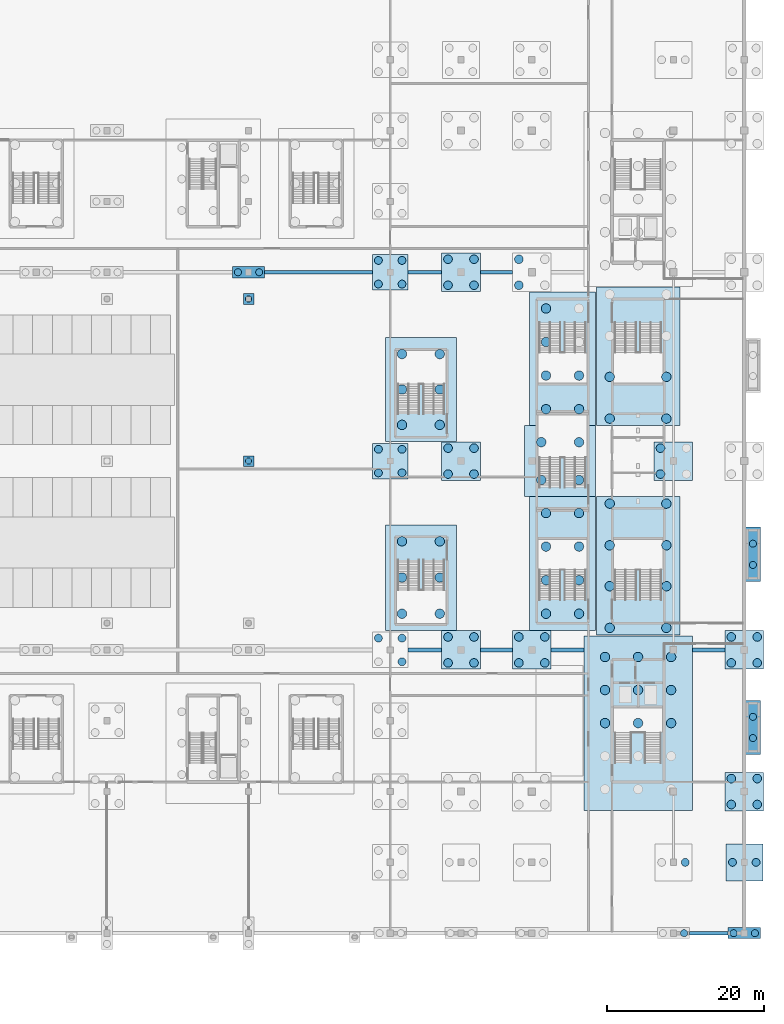
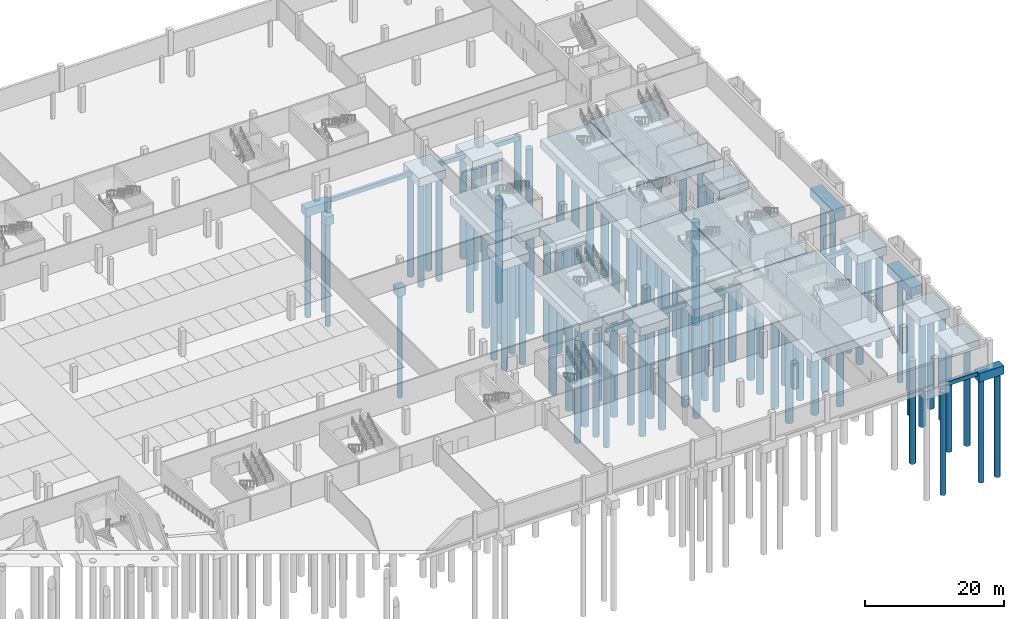
# One storey, part 6 of 46: 104 piles, 32 footings.
"""IFC4 building model written with IfcOpenShell, lengths in metres."""

from ifc_helpers import new_model, si_unit, direction, frame, origin, origin_2d, place, context, subcontext, project, spatial, polyline, circle, outline, extrude, material, material_profile, profile_set, type_object, element, save


model = new_model("IFC4")

# Units and contexts
model_context = context("Model", 3, precision=1e-05, world=origin(), true_north=direction((0.0, 1.0)))
body_context = subcontext(model_context, "Body", "Model", "MODEL_VIEW")
ifc_project = project(units=[si_unit("LENGTHUNIT", "METRE"), si_unit("AREAUNIT", "SQUARE_METRE"), si_unit("VOLUMEUNIT", "CUBIC_METRE"), si_unit("PLANEANGLEUNIT", "RADIAN"), si_unit("MASSUNIT", "GRAM", prefix="KILO")], contexts=[model_context])

# Site, building, storey
site_placement = place(None, origin())
site = spatial("IfcSite", under=ifc_project, at=site_placement, CompositionType="ELEMENT")
building_placement = place(site_placement, origin())
building = spatial("IfcBuilding", under=site, at=building_placement, Name="Kisiwana Market Hall", CompositionType="ELEMENT")
storey_placement = place(building_placement, frame((0.0, 0.0, -4.5)))
storey = spatial("IfcBuildingStorey", under=building, at=storey_placement, Name="B1", CompositionType="ELEMENT", Elevation=-4.5)

# Footings
ifc_material_1 = material(Name="Concrete C40/50", Category="concrete")
footing_type_1 = type_object("IfcFootingType", Name="FB-TIE-450x700", PredefinedType="FOOTING_BEAM", material=ifc_material_1)
footing_1_placement = place(storey_placement, frame((0.0, 0.0, -1.14990234375)))
element("IfcFooting", 1, at=footing_1_placement, inside=storey, type_object=footing_type_1, Name="Ground tie beam F-219", PredefinedType="FOOTING_BEAM", context=body_context, shape_type="SweptSolid", body=[
    extrude(outline(polyline([(191.050048828125, -0.22509765625), (195.949951171875, -0.22509765625), (195.949951171875, 0.22509765625), (191.050048828125, 0.22509765625), (191.050048828125, -0.22509765625)])), origin(), (0.0, 0.0, 1.0), 0.699951171875),
])
ifc_material_2 = material(Name="Concrete C40/50", Category="concrete")
footing_type_2 = type_object("IfcFootingType", Name="FB-TIE-500x750", PredefinedType="FOOTING_BEAM", material=ifc_material_2)
footing_2_placement = place(storey_placement, frame((0.0, 0.0, -1.199951171875)))
element("IfcFooting", 2, at=footing_2_placement, inside=storey, type_object=footing_type_2, Name="Ground tie beam F-232", PredefinedType="FOOTING_BEAM", context=body_context, shape_type="SweptSolid", body=[
    extrude(outline(polyline([(155.25, 35.75), (159.550048828125, 35.75), (159.550048828125, 36.25), (155.25, 36.25), (155.25, 35.75)])), origin(), (0.0, 0.0, 1.0), 0.75),
])
footing_3_placement = place(storey_placement, frame((0.0, 0.0, -1.199951171875)))
element("IfcFooting", 3, at=footing_3_placement, inside=storey, type_object=footing_type_2, Name="Ground tie beam F-233", PredefinedType="FOOTING_BEAM", context=body_context, shape_type="SweptSolid", body=[
    extrude(outline(polyline([(164.449951171875, 35.75), (168.550048828125, 35.75), (168.550048828125, 36.25), (164.449951171875, 36.25), (164.449951171875, 35.75)])), origin(), (0.0, 0.0, 1.0), 0.75),
])
footing_4_placement = place(storey_placement, frame((0.0, 0.0, -1.199951171875)))
element("IfcFooting", 4, at=footing_4_placement, inside=storey, type_object=footing_type_2, Name="Ground tie beam F-234", PredefinedType="FOOTING_BEAM", context=body_context, shape_type="SweptSolid", body=[
    extrude(outline(polyline([(173.449951171875, 35.75), (177.60009765625, 35.75), (177.60009765625, 36.25), (173.449951171875, 36.25), (173.449951171875, 35.75)])), origin(), (0.0, 0.0, 1.0), 0.75),
])
footing_5_placement = place(storey_placement, frame((0.0, 0.0, -1.199951171875)))
element("IfcFooting", 5, at=footing_5_placement, inside=storey, type_object=footing_type_2, Name="Ground tie beam F-235", PredefinedType="FOOTING_BEAM", context=body_context, shape_type="SweptSolid", body=[
    extrude(outline(polyline([(191.39990234375, 35.75), (195.550048828125, 35.75), (195.550048828125, 36.25), (191.39990234375, 36.25), (191.39990234375, 35.75)])), origin(), (0.0, 0.0, 1.0), 0.75),
])
footing_6_placement = place(storey_placement, frame((0.0, 0.0, -1.199951171875)))
element("IfcFooting", 6, at=footing_6_placement, inside=storey, type_object=footing_type_2, Name="Ground tie beam F-247", PredefinedType="FOOTING_BEAM", context=body_context, shape_type="SweptSolid", body=[
    extrude(outline(polyline([(137.050048828125, 83.75), (150.75, 83.75), (150.75, 84.25), (137.050048828125, 84.25), (137.050048828125, 83.75)])), origin(), (0.0, 0.0, 1.0), 0.75),
])
footing_7_placement = place(storey_placement, frame((0.0, 0.0, -1.199951171875)))
element("IfcFooting", 7, at=footing_7_placement, inside=storey, type_object=footing_type_2, Name="Ground tie beam F-248", PredefinedType="FOOTING_BEAM", context=body_context, shape_type="SweptSolid", body=[
    extrude(outline(polyline([(155.25, 83.75), (159.550048828125, 83.75), (159.550048828125, 84.25), (155.25, 84.25), (155.25, 83.75)])), origin(), (0.0, 0.0, 1.0), 0.75),
])
footing_8_placement = place(storey_placement, frame((0.0, 0.0, -1.199951171875)))
element("IfcFooting", 8, at=footing_8_placement, inside=storey, type_object=footing_type_2, Name="Ground tie beam F-249", PredefinedType="FOOTING_BEAM", context=body_context, shape_type="SweptSolid", body=[
    extrude(outline(polyline([(164.449951171875, 83.75), (168.550048828125, 83.75), (168.550048828125, 84.25), (164.449951171875, 84.25), (164.449951171875, 83.75)])), origin(), (0.0, 0.0, 1.0), 0.75),
])
ifc_material_3 = material(Name="Concrete C40/50", Category="concrete")
footing_type_3 = type_object("IfcFootingType", Name="PC-1P-800", PredefinedType="PILE_CAP", material=ifc_material_3)
footing_9_placement = place(storey_placement, frame((0.0, 0.0, -1.949951171875)))
element("IfcFooting", 9, at=footing_9_placement, inside=storey, type_object=footing_type_3, Name="Pile cap F-089 at H/16", PredefinedType="PILE_CAP", context=body_context, shape_type="SweptSolid", body=[
    extrude(outline(polyline([(134.324951171875, 59.324951171875), (135.675048828125, 59.324951171875), (135.675048828125, 60.675048828125), (134.324951171875, 60.675048828125), (134.324951171875, 59.324951171875)])), origin(), (0.0, 0.0, 1.0), 1.5),
])
footing_10_placement = place(storey_placement, frame((0.0, 0.0, -1.949951171875)))
element("IfcFooting", 10, at=footing_10_placement, inside=storey, type_object=footing_type_3, Name="Gallery post cap F-159", PredefinedType="PILE_CAP", context=body_context, shape_type="SweptSolid", body=[
    extrude(outline(polyline([(134.324951171875, 79.925048828125), (135.675048828125, 79.925048828125), (135.675048828125, 81.27490234375), (134.324951171875, 81.27490234375), (134.324951171875, 79.925048828125)])), origin(), (0.0, 0.0, 1.0), 1.5),
])
ifc_material_4 = material(Name="Concrete C40/50", Category="concrete")
footing_type_4 = type_object("IfcFootingType", Name="PC-2P-900", PredefinedType="PILE_CAP", material=ifc_material_4)
footing_11_placement = place(storey_placement, frame((0.0, 0.0, -1.949951171875)))
element("IfcFooting", 11, at=footing_11_placement, inside=storey, type_object=footing_type_4, Name="Pile cap F-090 at L/16", PredefinedType="PILE_CAP", context=body_context, shape_type="SweptSolid", body=[
    extrude(outline(polyline([(132.949951171875, 83.300048828125), (137.050048828125, 83.300048828125), (137.050048828125, 84.699951171875), (132.949951171875, 84.699951171875), (132.949951171875, 83.300048828125)])), origin(), (0.0, 0.0, 1.0), 1.5),
])
footing_12_placement = place(storey_placement, frame((0.0, 0.0, -1.949951171875)))
element("IfcFooting", 12, at=footing_12_placement, inside=storey, type_object=footing_type_4, Name="Pile cap F-128 at A/23", PredefinedType="PILE_CAP", context=body_context, shape_type="SweptSolid", body=[
    extrude(outline(polyline([(195.949951171875, -0.699951171875), (200.050048828125, -0.699951171875), (200.050048828125, 0.699951171875), (195.949951171875, 0.699951171875), (195.949951171875, -0.699951171875)])), origin(), (0.0, 0.0, 1.0), 1.5),
])
ifc_material_5 = material(Name="Concrete C40/50", Category="concrete")
footing_type_5 = type_object("IfcFootingType", Name="PC-2P-900V", PredefinedType="PILE_CAP", material=ifc_material_5)
footing_13_placement = place(storey_placement, frame((0.0, 0.0, -1.949951171875)))
element("IfcFooting", 13, at=footing_13_placement, inside=storey, type_object=footing_type_5, Name="Ramp foundation cap F-197", PredefinedType="PILE_CAP", context=body_context, shape_type="SweptSolid", body=[
    extrude(outline(polyline([(198.14990234375, 22.699951171875), (200.050048828125, 22.699951171875), (200.050048828125, 29.60009765625), (198.14990234375, 29.60009765625), (198.14990234375, 22.699951171875)])), origin(), (0.0, 0.0, 1.0), 1.5),
])
footing_14_placement = place(storey_placement, frame((0.0, 0.0, -1.949951171875)))
element("IfcFooting", 14, at=footing_14_placement, inside=storey, type_object=footing_type_5, Name="Ramp foundation cap F-198", PredefinedType="PILE_CAP", context=body_context, shape_type="SweptSolid", body=[
    extrude(outline(polyline([(198.14990234375, 44.699951171875), (200.050048828125, 44.699951171875), (200.050048828125, 51.60009765625), (198.14990234375, 51.60009765625), (198.14990234375, 44.699951171875)])), origin(), (0.0, 0.0, 1.0), 1.5),
])
ifc_material_6 = material(Name="Concrete C40/50", Category="concrete")
footing_type_6 = type_object("IfcFootingType", Name="PC-4P-1000", PredefinedType="PILE_CAP", material=ifc_material_6)
footing_15_placement = place(storey_placement, frame((0.0, 0.0, -1.949951171875)))
element("IfcFooting", 15, at=footing_15_placement, inside=storey, type_object=footing_type_6, Name="Pile cap F-098 at H/18", PredefinedType="PILE_CAP", context=body_context, shape_type="SweptSolid", body=[
    extrude(outline(polyline([(150.75, 57.75), (155.25, 57.75), (155.25, 62.25), (150.75, 62.25), (150.75, 57.75)])), origin(), (0.0, 0.0, 1.0), 1.5),
])
footing_16_placement = place(storey_placement, frame((0.0, 0.0, -1.949951171875)))
element("IfcFooting", 16, at=footing_16_placement, inside=storey, type_object=footing_type_6, Name="Pile cap F-099 at L/18", PredefinedType="PILE_CAP", context=body_context, shape_type="SweptSolid", body=[
    extrude(outline(polyline([(150.75, 81.75), (155.25, 81.75), (155.25, 86.25), (150.75, 86.25), (150.75, 81.75)])), origin(), (0.0, 0.0, 1.0), 1.5),
])
ifc_material_7 = material(Name="Concrete C40/50", Category="concrete")
footing_type_7 = type_object("IfcFootingType", Name="PC-4P-1050", PredefinedType="PILE_CAP", material=ifc_material_7)
footing_17_placement = place(storey_placement, frame((0.0, 0.0, -1.949951171875)))
element("IfcFooting", 17, at=footing_17_placement, inside=storey, type_object=footing_type_7, Name="Pile cap F-129 at B/23", PredefinedType="PILE_CAP", context=body_context, shape_type="SweptSolid", body=[
    extrude(outline(polyline([(195.64990234375, 6.64990234375), (200.35009765625, 6.64990234375), (200.35009765625, 11.35009765625), (195.64990234375, 11.35009765625), (195.64990234375, 6.64990234375)])), origin(), (0.0, 0.0, 1.0), 1.5),
])
ifc_material_8 = material(Name="Concrete C40/50", Category="concrete")
footing_type_8 = type_object("IfcFootingType", Name="PC-4P-1100", PredefinedType="PILE_CAP", material=ifc_material_8)
footing_18_placement = place(storey_placement, frame((0.0, 0.0, -1.949951171875)))
element("IfcFooting", 18, at=footing_18_placement, inside=storey, type_object=footing_type_8, Name="Pile cap F-108 at E/19", PredefinedType="PILE_CAP", context=body_context, shape_type="SweptSolid", body=[
    extrude(outline(polyline([(159.550048828125, 33.550048828125), (164.449951171875, 33.550048828125), (164.449951171875, 38.449951171875), (159.550048828125, 38.449951171875), (159.550048828125, 33.550048828125)])), origin(), (0.0, 0.0, 1.0), 1.5),
])
footing_19_placement = place(storey_placement, frame((0.0, 0.0, -1.949951171875)))
element("IfcFooting", 19, at=footing_19_placement, inside=storey, type_object=footing_type_8, Name="Pile cap F-109 at L/19", PredefinedType="PILE_CAP", context=body_context, shape_type="SweptSolid", body=[
    extrude(outline(polyline([(159.550048828125, 81.550048828125), (164.449951171875, 81.550048828125), (164.449951171875, 86.449951171875), (159.550048828125, 86.449951171875), (159.550048828125, 81.550048828125)])), origin(), (0.0, 0.0, 1.0), 1.5),
])
footing_20_placement = place(storey_placement, frame((0.0, 0.0, -1.949951171875)))
element("IfcFooting", 20, at=footing_20_placement, inside=storey, type_object=footing_type_8, Name="Pile cap F-117 at E/20", PredefinedType="PILE_CAP", context=body_context, shape_type="SweptSolid", body=[
    extrude(outline(polyline([(168.550048828125, 33.550048828125), (173.449951171875, 33.550048828125), (173.449951171875, 38.449951171875), (168.550048828125, 38.449951171875), (168.550048828125, 33.550048828125)])), origin(), (0.0, 0.0, 1.0), 1.5),
])
footing_21_placement = place(storey_placement, frame((0.0, 0.0, -1.949951171875)))
element("IfcFooting", 21, at=footing_21_placement, inside=storey, type_object=footing_type_8, Name="Pile cap F-130 at C/23", PredefinedType="PILE_CAP", context=body_context, shape_type="SweptSolid", body=[
    extrude(outline(polyline([(195.550048828125, 15.550048828125), (200.449951171875, 15.550048828125), (200.449951171875, 20.449951171875), (195.550048828125, 20.449951171875), (195.550048828125, 15.550048828125)])), origin(), (0.0, 0.0, 1.0), 1.5),
])
footing_22_placement = place(storey_placement, frame((0.0, 0.0, -1.949951171875)))
element("IfcFooting", 22, at=footing_22_placement, inside=storey, type_object=footing_type_8, Name="Pile cap F-131 at E/23", PredefinedType="PILE_CAP", context=body_context, shape_type="SweptSolid", body=[
    extrude(outline(polyline([(195.550048828125, 33.550048828125), (200.449951171875, 33.550048828125), (200.449951171875, 38.449951171875), (195.550048828125, 38.449951171875), (195.550048828125, 33.550048828125)])), origin(), (0.0, 0.0, 1.0), 1.5),
])
footing_23_placement = place(storey_placement, frame((0.0, 0.0, -1.949951171875)))
element("IfcFooting", 23, at=footing_23_placement, inside=storey, type_object=footing_type_8, Name="Pile cap F-162 at H/19", PredefinedType="PILE_CAP", context=body_context, shape_type="SweptSolid", body=[
    extrude(outline(polyline([(159.550048828125, 57.550048828125), (164.449951171875, 57.550048828125), (164.449951171875, 62.449951171875), (159.550048828125, 62.449951171875), (159.550048828125, 57.550048828125)])), origin(), (0.0, 0.0, 1.0), 1.5),
])
footing_24_placement = place(storey_placement, frame((0.0, 0.0, -1.949951171875)))
element("IfcFooting", 24, at=footing_24_placement, inside=storey, type_object=footing_type_8, Name="Pile cap F-163 at H/22", PredefinedType="PILE_CAP", context=body_context, shape_type="SweptSolid", body=[
    extrude(outline(polyline([(186.550048828125, 57.550048828125), (191.449951171875, 57.550048828125), (191.449951171875, 62.449951171875), (186.550048828125, 62.449951171875), (186.550048828125, 57.550048828125)])), origin(), (0.0, 0.0, 1.0), 1.5),
])
ifc_material_9 = material(Name="Concrete C40/50", Category="concrete")
footing_type_9 = type_object("IfcFootingType", Name="PC-ESC-RAFT", PredefinedType="PILE_CAP", material=ifc_material_9)
footing_25_placement = place(storey_placement, frame((0.0, 0.0, -1.949951171875)))
element("IfcFooting", 25, at=footing_25_placement, inside=storey, type_object=footing_type_9, Name="Core raft pile cap E3 F-167", PredefinedType="PILE_CAP", context=body_context, shape_type="SweptSolid", body=[
    extrude(outline(polyline([(179.199951171875, 37.89990234375), (189.800048828125, 37.89990234375), (189.800048828125, 55.5), (179.199951171875, 55.5), (179.199951171875, 37.89990234375)])), origin(), (0.0, 0.0, 1.0), 1.5),
])
footing_26_placement = place(storey_placement, frame((0.0, 0.0, -1.949951171875)))
element("IfcFooting", 26, at=footing_26_placement, inside=storey, type_object=footing_type_9, Name="Core raft pile cap E4 F-168", PredefinedType="PILE_CAP", context=body_context, shape_type="SweptSolid", body=[
    extrude(outline(polyline([(179.199951171875, 64.5), (189.800048828125, 64.5), (189.800048828125, 82.10009765625), (179.199951171875, 82.10009765625), (179.199951171875, 64.5)])), origin(), (0.0, 0.0, 1.0), 1.5),
])
footing_27_placement = place(storey_placement, frame((0.0, 0.0, -1.949951171875)))
element("IfcFooting", 27, at=footing_27_placement, inside=storey, type_object=footing_type_9, Name="Core raft pile cap E7 F-170", PredefinedType="PILE_CAP", context=body_context, shape_type="SweptSolid", body=[
    extrude(outline(polyline([(170.699951171875, 38.5), (179.10009765625, 38.5), (179.10009765625, 55.5), (170.699951171875, 55.5), (170.699951171875, 38.5)])), origin(), (0.0, 0.0, 1.0), 1.5),
])
footing_28_placement = place(storey_placement, frame((0.0, 0.0, -1.949951171875)))
element("IfcFooting", 28, at=footing_28_placement, inside=storey, type_object=footing_type_9, Name="Core raft pile cap E8 F-171", PredefinedType="PILE_CAP", context=body_context, shape_type="SweptSolid", body=[
    extrude(outline(polyline([(170.699951171875, 64.5), (179.10009765625, 64.5), (179.10009765625, 81.5), (170.699951171875, 81.5), (170.699951171875, 64.5)])), origin(), (0.0, 0.0, 1.0), 1.5),
])
footing_29_placement = place(storey_placement, frame((0.0, 0.0, -1.949951171875)))
element("IfcFooting", 29, at=footing_29_placement, inside=storey, type_object=footing_type_9, Name="Core raft pile cap E9 F-172", PredefinedType="PILE_CAP", context=body_context, shape_type="SweptSolid", body=[
    extrude(outline(polyline([(152.39990234375, 38.5), (161.39990234375, 38.5), (161.39990234375, 51.89990234375), (152.39990234375, 51.89990234375), (152.39990234375, 38.5)])), origin(), (0.0, 0.0, 1.0), 1.5),
])
footing_30_placement = place(storey_placement, frame((0.0, 0.0, -1.949951171875)))
element("IfcFooting", 30, at=footing_30_placement, inside=storey, type_object=footing_type_9, Name="Core raft pile cap E10 F-165", PredefinedType="PILE_CAP", context=body_context, shape_type="SweptSolid", body=[
    extrude(outline(polyline([(152.39990234375, 62.5), (161.39990234375, 62.5), (161.39990234375, 75.699951171875), (152.39990234375, 75.699951171875), (152.39990234375, 62.5)])), origin(), (0.0, 0.0, 1.0), 1.5),
])
footing_31_placement = place(storey_placement, frame((0.0, 0.0, -1.949951171875)))
element("IfcFooting", 31, at=footing_31_placement, inside=storey, type_object=footing_type_9, Name="Core raft pile cap E5 F-169", PredefinedType="PILE_CAP", context=body_context, shape_type="SweptSolid", body=[
    extrude(outline(polyline([(170.10009765625, 55.5), (179.10009765625, 55.5), (179.10009765625, 64.5), (170.10009765625, 64.5), (170.10009765625, 55.5)])), origin(), (0.0, 0.0, 1.0), 1.5),
])
ifc_material_10 = material(Name="Concrete C40/50", Category="concrete")
footing_type_10 = type_object("IfcFootingType", Name="PC-MAIN-RAFT", PredefinedType="PILE_CAP", material=ifc_material_10)
footing_32_placement = place(storey_placement, frame((0.0, 0.0, -1.949951171875)))
element("IfcFooting", 32, at=footing_32_placement, inside=storey, type_object=footing_type_10, Name="Core raft pile cap E2 F-166", PredefinedType="PILE_CAP", context=body_context, shape_type="SweptSolid", body=[
    extrude(outline(polyline([(177.60009765625, 15.60009765625), (191.39990234375, 15.60009765625), (191.39990234375, 37.800048828125), (177.60009765625, 37.800048828125), (177.60009765625, 15.60009765625)])), origin(), (0.0, 0.0, 1.0), 1.5),
])

# Piles
ifc_material_11 = material(Name="Concrete C40/50", Category="concrete")
ifc_material_profile_1 = material_profile(ifc_material_11, circle(Radius=0.5, at=origin_2d()), Name="BP D1000")
ifc_profile_set_1 = profile_set([ifc_material_profile_1], Name="Concrete C40/50")
pile_type_1 = type_object("IfcPileType", Name="PILE-D1000", PredefinedType="BORED", material=ifc_profile_set_1)
for number, where, z_axis, x_axis, name in (
    (33, (154.5, 34.5, -1.85009765625), (0.0, 0.0, -1.0), (1.0, 0.0, 0.0), "Bored pile P-331"),
    (34, (151.5, 37.5, -1.85009765625), (0.0, 0.0, -1.0), (1.0, 0.0, 0.0), "Bored pile P-332"),
    (35, (154.5, 37.5, -1.85009765625), (0.0, 0.0, -1.0), (1.0, 0.0, 0.0), "Bored pile P-333"),
    (36, (151.5, 58.5, -1.85009765625), (0.0, 0.0, -1.0), (1.0, 0.0, 0.0), "Bored pile P-334"),
    (37, (154.5, 58.5, -1.85009765625), (0.0, 0.0, -1.0), (1.0, 0.0, 0.0), "Bored pile P-335"),
    (38, (151.5, 61.5, -1.85009765625), (0.0, 0.0, -1.0), (1.0, 0.0, 0.0), "Bored pile P-336"),
    (39, (154.5, 61.5, -1.85009765625), (0.0, 0.0, -1.0), (1.0, 0.0, 0.0), "Bored pile P-337"),
    (40, (151.5, 82.5, -1.85009765625), (0.0, 0.0, -1.0), (1.0, 0.0, 0.0), "Bored pile P-338"),
    (41, (154.5, 82.5, -1.85009765625), (0.0, 0.0, -1.0), (1.0, 0.0, 0.0), "Bored pile P-339"),
    (42, (151.5, 85.5, -1.85009765625), (0.0, 0.0, -1.0), (1.0, 0.0, 0.0), "Bored pile P-340"),
    (43, (154.5, 85.5, -1.85009765625), (0.0, 0.0, -1.0), (1.0, 0.0, 0.0), "Bored pile P-341"),
    (44, (190.5, 9.0, -1.85009765625), (0.0, 0.0, -1.0), (1.0, 0.0, 0.0), "Bored pile P-411"),
    (45, (196.5, 9.0, -1.85009765625), (0.0, 0.0, -1.0), (1.0, 0.0, 0.0), "Bored pile P-418"),
    (46, (199.5, 9.0, -1.85009765625), (0.0, 0.0, -1.0), (1.0, 0.0, 0.0), "Bored pile P-419"),
):
    element("IfcPile", number, at=place(storey_placement, frame(where, z_axis=z_axis, x_axis=x_axis)), inside=storey, type_object=pile_type_1, Name=name, PredefinedType="BORED", context=body_context, shape_type="SweptSolid", body=[
        extrude(circle(Radius=0.5, at=origin_2d()), origin(), (0.0, 0.0, 1.0), 18.10009765625),
    ])
ifc_material_12 = material(Name="Concrete C40/50", Category="concrete")
ifc_material_profile_2 = material_profile(ifc_material_12, circle(Radius=0.550048828125, at=origin_2d()), Name="BP D1100")
ifc_profile_set_2 = profile_set([ifc_material_profile_2], Name="Concrete C40/50")
pile_type_2 = type_object("IfcPileType", Name="PILE-D1100", PredefinedType="BORED", material=ifc_profile_set_2)
for number, where, z_axis, x_axis, name in (
    (47, (160.35009765625, 34.35009765625, -1.85009765625), (0.0, 0.0, -1.0), (1.0, 0.0, 0.0), "Bored pile P-364"),
    (48, (163.64990234375, 34.35009765625, -1.85009765625), (0.0, 0.0, -1.0), (1.0, 0.0, 0.0), "Bored pile P-365"),
    (49, (160.35009765625, 37.64990234375, -1.85009765625), (0.0, 0.0, -1.0), (1.0, 0.0, 0.0), "Bored pile P-366"),
    (50, (163.64990234375, 37.64990234375, -1.85009765625), (0.0, 0.0, -1.0), (1.0, 0.0, 0.0), "Bored pile P-367"),
    (51, (160.35009765625, 82.35009765625, -1.85009765625), (0.0, 0.0, -1.0), (1.0, 0.0, 0.0), "Bored pile P-368"),
    (52, (163.64990234375, 82.35009765625, -1.85009765625), (0.0, 0.0, -1.0), (1.0, 0.0, 0.0), "Bored pile P-369"),
    (53, (160.35009765625, 85.64990234375, -1.85009765625), (0.0, 0.0, -1.0), (1.0, 0.0, 0.0), "Bored pile P-370"),
    (54, (163.64990234375, 85.64990234375, -1.85009765625), (0.0, 0.0, -1.0), (1.0, 0.0, 0.0), "Bored pile P-371"),
    (55, (169.35009765625, 34.35009765625, -1.85009765625), (0.0, 0.0, -1.0), (1.0, 0.0, 0.0), "Bored pile P-390"),
    (56, (172.64990234375, 34.35009765625, -1.85009765625), (0.0, 0.0, -1.0), (1.0, 0.0, 0.0), "Bored pile P-391"),
    (57, (169.35009765625, 37.64990234375, -1.85009765625), (0.0, 0.0, -1.0), (1.0, 0.0, 0.0), "Bored pile P-392"),
    (58, (172.64990234375, 37.64990234375, -1.85009765625), (0.0, 0.0, -1.0), (1.0, 0.0, 0.0), "Bored pile P-393"),
    (59, (169.35009765625, 82.35009765625, -1.85009765625), (0.0, 0.0, -1.0), (1.0, 0.0, 0.0), "Bored pile P-394"),
    (60, (169.35009765625, 85.64990234375, -1.85009765625), (0.0, 0.0, -1.0), (1.0, 0.0, 0.0), "Bored pile P-396"),
    (61, (196.35009765625, 16.35009765625, -1.85009765625), (0.0, 0.0, -1.0), (1.0, 0.0, 0.0), "Bored pile P-420"),
    (62, (199.64990234375, 16.35009765625, -1.85009765625), (0.0, 0.0, -1.0), (1.0, 0.0, 0.0), "Bored pile P-421"),
    (63, (196.35009765625, 19.64990234375, -1.85009765625), (0.0, 0.0, -1.0), (1.0, 0.0, 0.0), "Bored pile P-422"),
    (64, (199.64990234375, 19.64990234375, -1.85009765625), (0.0, 0.0, -1.0), (1.0, 0.0, 0.0), "Bored pile P-423"),
    (65, (196.35009765625, 34.35009765625, -1.85009765625), (0.0, 0.0, -1.0), (1.0, 0.0, 0.0), "Bored pile P-424"),
    (66, (199.64990234375, 34.35009765625, -1.85009765625), (0.0, 0.0, -1.0), (1.0, 0.0, 0.0), "Bored pile P-425"),
    (67, (196.35009765625, 37.64990234375, -1.85009765625), (0.0, 0.0, -1.0), (1.0, 0.0, 0.0), "Bored pile P-426"),
    (68, (199.64990234375, 37.64990234375, -1.85009765625), (0.0, 0.0, -1.0), (1.0, 0.0, 0.0), "Bored pile P-427"),
    (69, (160.35009765625, 58.35009765625, -1.85009765625), (0.0, 0.0, -1.0), (1.0, 0.0, 0.0), "Bored pile P-622"),
    (70, (163.64990234375, 58.35009765625, -1.85009765625), (0.0, 0.0, -1.0), (1.0, 0.0, 0.0), "Bored pile P-623"),
    (71, (160.35009765625, 61.64990234375, -1.85009765625), (0.0, 0.0, -1.0), (1.0, 0.0, 0.0), "Bored pile P-624"),
    (72, (163.64990234375, 61.64990234375, -1.85009765625), (0.0, 0.0, -1.0), (1.0, 0.0, 0.0), "Bored pile P-625"),
    (73, (187.35009765625, 58.35009765625, -1.85009765625), (0.0, 0.0, -1.0), (1.0, 0.0, 0.0), "Bored pile P-626"),
    (74, (187.35009765625, 61.64990234375, -1.85009765625), (0.0, 0.0, -1.0), (1.0, 0.0, 0.0), "Bored pile P-628"),
):
    element("IfcPile", number, at=place(storey_placement, frame(where, z_axis=z_axis, x_axis=x_axis)), inside=storey, type_object=pile_type_2, Name=name, PredefinedType="BORED", context=body_context, shape_type="SweptSolid", body=[
        extrude(circle(Radius=0.550048828125, at=origin_2d()), origin(), (0.0, 0.0, 1.0), 18.10009765625),
    ])
ifc_material_13 = material(Name="Concrete C40/50", Category="concrete")
ifc_material_profile_3 = material_profile(ifc_material_13, circle(Radius=0.60009765625, at=origin_2d()), Name="BP D1200")
ifc_profile_set_3 = profile_set([ifc_material_profile_3], Name="Concrete C40/50")
pile_type_3 = type_object("IfcPileType", Name="PILE-D1200", PredefinedType="BORED", material=ifc_profile_set_3)
for number, where, z_axis, x_axis, name in (
    (75, (180.300048828125, 26.699951171875, -1.85009765625), (0.0, 0.0, -1.0), (1.0, 0.0, 0.0), "Bored pile P-033"),
    (76, (180.300048828125, 30.89990234375, -1.85009765625), (0.0, 0.0, -1.0), (1.0, 0.0, 0.0), "Bored pile P-034"),
    (77, (180.300048828125, 35.10009765625, -1.85009765625), (0.0, 0.0, -1.0), (1.0, 0.0, 0.0), "Bored pile P-035"),
    (78, (184.5, 26.699951171875, -1.85009765625), (0.0, 0.0, -1.0), (1.0, 0.0, 0.0), "Bored pile P-038"),
    (79, (184.5, 30.89990234375, -1.85009765625), (0.0, 0.0, -1.0), (1.0, 0.0, 0.0), "Bored pile P-039"),
    (80, (184.5, 35.10009765625, -1.85009765625), (0.0, 0.0, -1.0), (1.0, 0.0, 0.0), "Bored pile P-040"),
    (81, (188.699951171875, 26.699951171875, -1.85009765625), (0.0, 0.0, -1.0), (1.0, 0.0, 0.0), "Bored pile P-043"),
    (82, (188.699951171875, 30.89990234375, -1.85009765625), (0.0, 0.0, -1.0), (1.0, 0.0, 0.0), "Bored pile P-044"),
    (83, (188.699951171875, 35.10009765625, -1.85009765625), (0.0, 0.0, -1.0), (1.0, 0.0, 0.0), "Bored pile P-045"),
    (84, (180.89990234375, 38.800048828125, -1.85009765625), (0.0, 0.0, -1.0), (1.0, 0.0, 0.0), "Bored pile P-486"),
    (85, (180.89990234375, 44.10009765625, -1.85009765625), (0.0, 0.0, -1.0), (1.0, 0.0, 0.0), "Bored pile P-487"),
    (86, (180.89990234375, 49.300048828125, -1.85009765625), (0.0, 0.0, -1.0), (1.0, 0.0, 0.0), "Bored pile P-488"),
    (87, (180.89990234375, 54.60009765625, -1.85009765625), (0.0, 0.0, -1.0), (1.0, 0.0, 0.0), "Bored pile P-489"),
    (88, (188.10009765625, 38.800048828125, -1.85009765625), (0.0, 0.0, -1.0), (1.0, 0.0, 0.0), "Bored pile P-490"),
    (89, (188.10009765625, 44.10009765625, -1.85009765625), (0.0, 0.0, -1.0), (1.0, 0.0, 0.0), "Bored pile P-491"),
    (90, (188.10009765625, 49.300048828125, -1.85009765625), (0.0, 0.0, -1.0), (1.0, 0.0, 0.0), "Bored pile P-492"),
    (91, (188.10009765625, 54.60009765625, -1.85009765625), (0.0, 0.0, -1.0), (1.0, 0.0, 0.0), "Bored pile P-493"),
    (92, (180.89990234375, 65.39990234375, -1.85009765625), (0.0, 0.0, -1.0), (1.0, 0.0, 0.0), "Bored pile P-494"),
    (93, (180.89990234375, 70.699951171875, -1.85009765625), (0.0, 0.0, -1.0), (1.0, 0.0, 0.0), "Bored pile P-495"),
    (94, (188.10009765625, 65.39990234375, -1.85009765625), (0.0, 0.0, -1.0), (1.0, 0.0, 0.0), "Bored pile P-498"),
    (95, (188.10009765625, 70.699951171875, -1.85009765625), (0.0, 0.0, -1.0), (1.0, 0.0, 0.0), "Bored pile P-499"),
    (96, (172.800048828125, 40.60009765625, -1.85009765625), (0.0, 0.0, -1.0), (1.0, 0.0, 0.0), "Bored pile P-510"),
    (97, (172.800048828125, 44.866943359375, -1.85009765625), (0.0, 0.0, -1.0), (1.0, 0.0, 0.0), "Bored pile P-511"),
    (98, (172.800048828125, 49.133056640625, -1.85009765625), (0.0, 0.0, -1.0), (1.0, 0.0, 0.0), "Bored pile P-512"),
    (99, (172.800048828125, 53.39990234375, -1.85009765625), (0.0, 0.0, -1.0), (1.0, 0.0, 0.0), "Bored pile P-513"),
    (100, (177.0, 40.60009765625, -1.85009765625), (0.0, 0.0, -1.0), (1.0, 0.0, 0.0), "Bored pile P-514"),
    (101, (177.0, 44.866943359375, -1.85009765625), (0.0, 0.0, -1.0), (1.0, 0.0, 0.0), "Bored pile P-515"),
    (102, (177.0, 49.133056640625, -1.85009765625), (0.0, 0.0, -1.0), (1.0, 0.0, 0.0), "Bored pile P-516"),
    (103, (177.0, 53.39990234375, -1.85009765625), (0.0, 0.0, -1.0), (1.0, 0.0, 0.0), "Bored pile P-517"),
    (104, (172.800048828125, 66.60009765625, -1.85009765625), (0.0, 0.0, -1.0), (1.0, 0.0, 0.0), "Bored pile P-526"),
    (105, (172.800048828125, 70.866943359375, -1.85009765625), (0.0, 0.0, -1.0), (1.0, 0.0, 0.0), "Bored pile P-527"),
    (106, (172.800048828125, 75.133056640625, -1.85009765625), (0.0, 0.0, -1.0), (1.0, 0.0, 0.0), "Bored pile P-528"),
    (107, (172.800048828125, 79.39990234375, -1.85009765625), (0.0, 0.0, -1.0), (1.0, 0.0, 0.0), "Bored pile P-529"),
    (108, (177.0, 66.60009765625, -1.85009765625), (0.0, 0.0, -1.0), (1.0, 0.0, 0.0), "Bored pile P-530"),
    (109, (177.0, 70.866943359375, -1.85009765625), (0.0, 0.0, -1.0), (1.0, 0.0, 0.0), "Bored pile P-531"),
    (110, (154.5, 40.60009765625, -1.85009765625), (0.0, 0.0, -1.0), (1.0, 0.0, 0.0), "Bored pile P-540"),
    (111, (154.5, 45.199951171875, -1.85009765625), (0.0, 0.0, -1.0), (1.0, 0.0, 0.0), "Bored pile P-541"),
    (112, (154.5, 49.800048828125, -1.85009765625), (0.0, 0.0, -1.0), (1.0, 0.0, 0.0), "Bored pile P-542"),
    (113, (159.300048828125, 40.60009765625, -1.85009765625), (0.0, 0.0, -1.0), (1.0, 0.0, 0.0), "Bored pile P-543"),
    (114, (159.300048828125, 45.199951171875, -1.85009765625), (0.0, 0.0, -1.0), (1.0, 0.0, 0.0), "Bored pile P-544"),
    (115, (159.300048828125, 49.800048828125, -1.85009765625), (0.0, 0.0, -1.0), (1.0, 0.0, 0.0), "Bored pile P-545"),
    (116, (154.5, 64.60009765625, -1.85009765625), (0.0, 0.0, -1.0), (1.0, 0.0, 0.0), "Bored pile P-552"),
    (117, (154.5, 69.10009765625, -1.85009765625), (0.0, 0.0, -1.0), (1.0, 0.0, 0.0), "Bored pile P-553"),
    (118, (154.5, 73.60009765625, -1.85009765625), (0.0, 0.0, -1.0), (1.0, 0.0, 0.0), "Bored pile P-554"),
    (119, (159.300048828125, 64.60009765625, -1.85009765625), (0.0, 0.0, -1.0), (1.0, 0.0, 0.0), "Bored pile P-555"),
    (120, (159.300048828125, 69.10009765625, -1.85009765625), (0.0, 0.0, -1.0), (1.0, 0.0, 0.0), "Bored pile P-556"),
    (121, (159.300048828125, 73.60009765625, -1.85009765625), (0.0, 0.0, -1.0), (1.0, 0.0, 0.0), "Bored pile P-557"),
    (122, (172.199951171875, 57.60009765625, -1.85009765625), (0.0, 0.0, -1.0), (1.0, 0.0, 0.0), "Bored pile P-562"),
    (123, (172.199951171875, 62.39990234375, -1.85009765625), (0.0, 0.0, -1.0), (1.0, 0.0, 0.0), "Bored pile P-563"),
    (124, (177.0, 57.60009765625, -1.85009765625), (0.0, 0.0, -1.0), (1.0, 0.0, 0.0), "Bored pile P-564"),
    (125, (177.0, 62.39990234375, -1.85009765625), (0.0, 0.0, -1.0), (1.0, 0.0, 0.0), "Bored pile P-565"),
):
    element("IfcPile", number, at=place(storey_placement, frame(where, z_axis=z_axis, x_axis=x_axis)), inside=storey, type_object=pile_type_3, Name=name, PredefinedType="BORED", context=body_context, shape_type="SweptSolid", body=[
        extrude(circle(Radius=0.60009765625, at=origin_2d()), origin(), (0.0, 0.0, 1.0), 18.10009765625),
    ])
ifc_material_14 = material(Name="Concrete C40/50", Category="concrete")
ifc_material_profile_4 = material_profile(ifc_material_14, circle(Radius=0.39990234375, at=origin_2d()), Name="BP D800")
ifc_profile_set_4 = profile_set([ifc_material_profile_4], Name="Concrete C40/50")
pile_type_4 = type_object("IfcPileType", Name="PILE-D800", PredefinedType="BORED", material=ifc_profile_set_4)
for number, where, z_axis, x_axis, name in (
    (126, (135.0, 60.0, -1.85009765625), (0.0, 0.0, -1.0), (1.0, 0.0, 0.0), "Bored pile P-311"),
    (127, (135.0, 80.60009765625, -1.85009765625), (0.0, 0.0, -1.0), (1.0, 0.0, 0.0), "Bored pile P-467"),
):
    element("IfcPile", number, at=place(storey_placement, frame(where, z_axis=z_axis, x_axis=x_axis)), inside=storey, type_object=pile_type_4, Name=name, PredefinedType="BORED", context=body_context, shape_type="SweptSolid", body=[
        extrude(circle(Radius=0.39990234375, at=origin_2d()), origin(), (0.0, 0.0, 1.0), 18.10009765625),
    ])
ifc_material_15 = material(Name="Concrete C40/50", Category="concrete")
ifc_material_profile_5 = material_profile(ifc_material_15, circle(Radius=0.449951171875, at=origin_2d()), Name="BP D900")
ifc_profile_set_5 = profile_set([ifc_material_profile_5], Name="Concrete C40/50")
pile_type_5 = type_object("IfcPileType", Name="PILE-D900", PredefinedType="BORED", material=ifc_profile_set_5)
for number, where, z_axis, x_axis, name in (
    (128, (133.64990234375, 84.0, -1.85009765625), (0.0, 0.0, -1.0), (1.0, 0.0, 0.0), "Bored pile P-312"),
    (129, (136.35009765625, 84.0, -1.85009765625), (0.0, 0.0, -1.0), (1.0, 0.0, 0.0), "Bored pile P-313"),
    (130, (190.35009765625, 0.0, -1.85009765625), (0.0, 0.0, -1.0), (1.0, 0.0, 0.0), "Bored pile P-409"),
    (131, (196.64990234375, 0.0, -1.85009765625), (0.0, 0.0, -1.0), (1.0, 0.0, 0.0), "Bored pile P-416"),
    (132, (199.35009765625, 0.0, -1.85009765625), (0.0, 0.0, -1.0), (1.0, 0.0, 0.0), "Bored pile P-417"),
    (133, (199.10009765625, 24.800048828125, -1.85009765625), (0.0, 0.0, -1.0), (1.0, 0.0, 0.0), "Ramp bored pile 4-1 P-636"),
    (134, (199.10009765625, 27.5, -1.85009765625), (0.0, 0.0, -1.0), (1.0, 0.0, 0.0), "Ramp bored pile 4-2 P-637"),
    (135, (199.10009765625, 46.800048828125, -1.85009765625), (0.0, 0.0, -1.0), (1.0, 0.0, 0.0), "Ramp bored pile 5-1 P-638"),
    (136, (199.10009765625, 49.5, -1.85009765625), (0.0, 0.0, -1.0), (1.0, 0.0, 0.0), "Ramp bored pile 5-2 P-639"),
):
    element("IfcPile", number, at=place(storey_placement, frame(where, z_axis=z_axis, x_axis=x_axis)), inside=storey, type_object=pile_type_5, Name=name, PredefinedType="BORED", context=body_context, shape_type="SweptSolid", body=[
        extrude(circle(Radius=0.449951171875, at=origin_2d()), origin(), (0.0, 0.0, 1.0), 18.10009765625),
    ])

save(model, "model.ifc")
